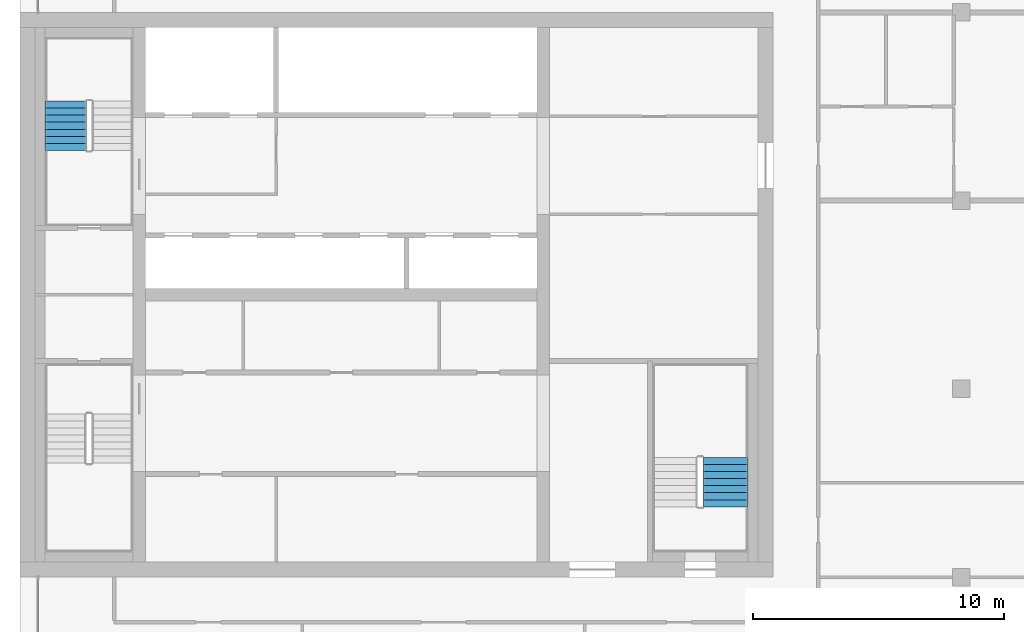
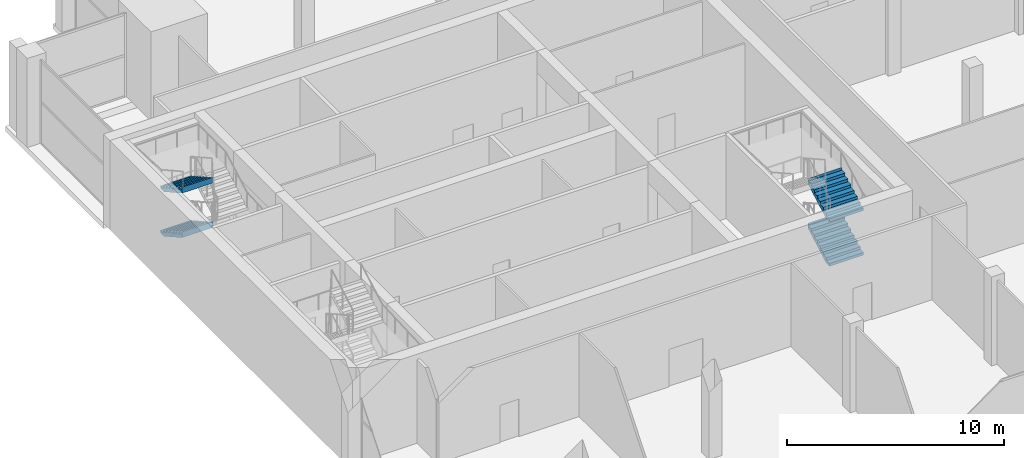
# One storey, part 12 of 15: 4 stair flights, 2 elements without a shape of their own.
"""IFC4 building model written with IfcOpenShell, lengths in metres."""

from ifc_helpers import new_model, si_unit, direction, frame, origin, place, context, subcontext, project, spatial, polyline, outline, extrude, material, type_object, element, aggregate, save


model = new_model("IFC4")

# Units and contexts
model_context = context("Model", 3, precision=1e-05, world=origin(), true_north=direction((0.0, 1.0)))
body_context = subcontext(model_context, "Body", "Model", "MODEL_VIEW")
ifc_project = project(units=[si_unit("LENGTHUNIT", "METRE"), si_unit("AREAUNIT", "SQUARE_METRE"), si_unit("VOLUMEUNIT", "CUBIC_METRE"), si_unit("PLANEANGLEUNIT", "RADIAN"), si_unit("MASSUNIT", "GRAM", prefix="KILO")], contexts=[model_context])

# Site, building, storey
site_placement = place(None, origin())
site = spatial("IfcSite", under=ifc_project, at=site_placement, CompositionType="ELEMENT")
building_placement = place(site_placement, origin())
building = spatial("IfcBuilding", under=site, at=building_placement, Name="Tamorin Gate", CompositionType="ELEMENT")
storey_placement = place(building_placement, frame((0.0, 0.0, 297.699951171875)))
storey = spatial("IfcBuildingStorey", under=building, at=storey_placement, Name="L74", CompositionType="ELEMENT", Elevation=297.699951171875)

# Stair, stair flights
ifc_material = material(Name="Concrete C40/50", Category="concrete")
stair_type = type_object("IfcStairType", Name="Exit stair", PredefinedType="HALF_TURN_STAIR", material=ifc_material)
stair_1_placement = place(storey_placement, origin())
stair_1 = element("IfcStair", 1, at=stair_1_placement, inside=storey, type_object=stair_type, Name="L74 stair ST2", PredefinedType="HALF_TURN_STAIR")
stair_flight_type = type_object("IfcStairFlightType", Name="Exit stair flight", PredefinedType="STRAIGHT", material=ifc_material)
stair_flight_1_placement = place(storey_placement, frame((31.824951171875, 78.9599609375, 1.25), z_axis=(0.0, 0.0, 1.0), x_axis=(0.0, -1.0, 0.0)))
stair_flight_1 = element("IfcStairFlight", 2, at=stair_flight_1_placement, type_object=stair_flight_type, Name="ST2 flight 2", NumberOfRisers=8, NumberOfTreads=7, PredefinedType="STRAIGHT", RiserHeight=0.15625, TreadLength=0.28, context=body_context, shape_type="SweptSolid", body=[
    extrude(outline(polyline([(-0.00048828125, 0.0), (-0.00048828125, 0.00146484375), (-0.00048828125, 0.003173828125), (-0.00048828125, 0.004638671875), (-0.00048828125, 0.006103515625), (-0.00048828125, 0.0078125), (-0.00048828125, 0.00927734375), (-0.00048828125, 0.0107421875), (-0.00048828125, 0.012451171875), (-0.00048828125, 0.013916015625), (-0.00048828125, 0.015380859375), (-0.00048828125, 0.01708984375), (-0.00048828125, 0.0185546875), (-0.00048828125, 0.02001953125), (-0.00048828125, 0.021728515625), (-0.00048828125, 0.023193359375), (-0.00048828125, 0.024658203125), (-0.00048828125, 0.0263671875), (-0.00048828125, 0.02783203125), (-0.00048828125, 0.029296875), (-0.00048828125, 0.031005859375), (-0.00048828125, 0.032470703125), (-0.00048828125, 0.033935546875), (-0.00048828125, 0.03564453125), (-0.00048828125, 0.037109375), (-0.00048828125, 0.03857421875), (-0.00048828125, 0.040283203125), (-0.00048828125, 0.041748046875), (-0.00048828125, 0.043212890625), (-0.00048828125, 0.044921875), (-0.00048828125, 0.04638671875), (-0.00048828125, 0.0478515625), (-0.00048828125, 0.049560546875), (-0.00048828125, 0.051025390625), (-0.00048828125, 0.052490234375), (-0.00048828125, 0.05419921875), (-0.00048828125, 0.0556640625), (-0.00048828125, 0.05712890625), (-0.00048828125, 0.058837890625), (-0.00048828125, 0.060302734375), (-0.00048828125, 0.061767578125), (-0.00048828125, 0.0634765625), (-0.00048828125, 0.06494140625), (-0.00048828125, 0.06640625), (-0.00048828125, 0.068115234375), (-0.00048828125, 0.069580078125), (-0.00048828125, 0.071044921875), (-0.00048828125, 0.07275390625), (-0.00048828125, 0.07421875), (-0.00048828125, 0.07568359375), (-0.00048828125, 0.077392578125), (-0.00048828125, 0.078857421875), (-0.00048828125, 0.08056640625), (-0.00048828125, 0.08203125), (-0.00048828125, 0.08349609375), (-0.00048828125, 0.085205078125), (-0.00048828125, 0.086669921875), (-0.00048828125, 0.088134765625), (-0.00048828125, 0.08984375), (-0.00048828125, 0.09130859375), (-0.00048828125, 0.0927734375), (-0.00048828125, 0.094482421875), (-0.00048828125, 0.095947265625), (-0.00048828125, 0.097412109375), (-0.00048828125, 0.09912109375), (-0.00048828125, 0.1005859375), (-0.00048828125, 0.10205078125), (-0.00048828125, 0.103759765625), (-0.00048828125, 0.105224609375), (-0.00048828125, 0.106689453125), (-0.00048828125, 0.1083984375), (-0.00048828125, 0.10986328125), (-0.00048828125, 0.111328125), (-0.00048828125, 0.113037109375), (-0.00048828125, 0.114501953125), (-0.00048828125, 0.115966796875), (-0.00048828125, 0.11767578125), (-0.00048828125, 0.119140625), (-0.00048828125, 0.12060546875), (-0.00048828125, 0.122314453125), (-0.00048828125, 0.123779296875), (-0.00048828125, 0.125244140625), (-0.00048828125, 0.126953125), (-0.00048828125, 0.12841796875), (-0.00048828125, 0.1298828125), (-0.00048828125, 0.131591796875), (-0.00048828125, 0.133056640625), (-0.00048828125, 0.134521484375), (-0.00048828125, 0.13623046875), (-0.00048828125, 0.1376953125), (-0.00048828125, 0.13916015625), (-0.00048828125, 0.140869140625), (-0.00048828125, 0.142333984375), (-0.00048828125, 0.143798828125), (-0.00048828125, 0.1455078125), (-0.00048828125, 0.14697265625), (-0.00048828125, 0.1484375), (-0.00048828125, 0.150146484375), (-0.00048828125, 0.151611328125), (-0.00048828125, 0.153076171875), (-0.00048828125, 0.15478515625), (-0.00048828125, 0.15625), (0.280029296875, 0.15625), (0.280029296875, 0.3125), (0.56005859375, 0.3125), (0.56005859375, 0.46875), (0.840087890625, 0.46875), (0.840087890625, 0.625), (1.1201171875, 0.625), (1.1201171875, 0.78125), (1.39990234375, 0.78125), (1.39990234375, 0.9375), (1.679931640625, 0.9375), (1.679931640625, 1.09375), (1.9599609375, 1.09375), (1.9599609375, 1.25), (1.96044921875, 1.25), (1.96044921875, 1.246826171875), (1.96044921875, 1.243408203125), (1.96044921875, 1.240234375), (1.96044921875, 1.237060546875), (1.96044921875, 1.23388671875), (1.96044921875, 1.23046875), (1.96044921875, 1.227294921875), (1.96044921875, 1.22412109375), (1.96044921875, 1.220703125), (1.96044921875, 1.217529296875), (1.96044921875, 1.21435546875), (1.96044921875, 1.2109375), (1.96044921875, 1.207763671875), (1.96044921875, 1.20458984375), (1.96044921875, 1.201416015625), (1.96044921875, 1.197998046875), (1.96044921875, 1.19482421875), (1.96044921875, 1.191650390625), (1.96044921875, 1.188232421875), (1.96044921875, 1.18505859375), (1.96044921875, 1.181884765625), (1.96044921875, 1.178466796875), (1.96044921875, 1.17529296875), (1.96044921875, 1.172119140625), (1.96044921875, 1.1689453125), (1.96044921875, 1.16552734375), (1.96044921875, 1.162353515625), (1.96044921875, 1.1591796875), (1.96044921875, 1.15576171875), (1.96044921875, 1.152587890625), (1.96044921875, 1.1494140625), (1.96044921875, 1.14599609375), (1.96044921875, 1.142822265625), (1.96044921875, 1.1396484375), (1.96044921875, 1.136474609375), (1.96044921875, 1.133056640625), (1.96044921875, 1.1298828125), (1.96044921875, 1.126708984375), (1.96044921875, 1.123291015625), (1.96044921875, 1.1201171875), (1.96044921875, 1.116943359375), (1.96044921875, 1.113525390625), (1.96044921875, 1.1103515625), (1.96044921875, 1.107177734375), (1.96044921875, 1.10400390625), (1.96044921875, 1.1005859375), (1.96044921875, 1.097412109375), (1.96044921875, 1.09423828125), (1.96044921875, 1.0908203125), (1.96044921875, 1.087646484375), (1.96044921875, 1.08447265625), (1.96044921875, 1.0810546875), (1.96044921875, 1.077880859375), (1.96044921875, 1.07470703125), (1.96044921875, 1.071533203125), (1.96044921875, 1.068115234375), (1.96044921875, 1.06494140625), (1.96044921875, 1.061767578125), (1.96044921875, 1.058349609375), (1.96044921875, 1.05517578125), (1.96044921875, 1.052001953125), (1.96044921875, 1.048828125), (1.96044921875, 1.04541015625), (1.96044921875, 1.042236328125), (1.96044921875, 1.0390625), (1.96044921875, 1.03564453125), (1.96044921875, 1.032470703125), (1.96044921875, 1.029296875), (1.96044921875, 1.02587890625), (1.96044921875, 1.022705078125), (1.96044921875, 1.01953125), (1.96044921875, 1.016357421875), (1.96044921875, 1.012939453125), (1.96044921875, 1.009765625), (1.96044921875, 1.006591796875), (1.96044921875, 1.003173828125), (1.96044921875, 1.0), (1.96044921875, 0.996826171875), (1.96044921875, 0.993408203125), (1.96044921875, 0.990234375), (1.96044921875, 0.987060546875), (1.96044921875, 0.98388671875), (1.96044921875, 0.98046875), (1.96044921875, 0.977294921875), (1.96044921875, 0.97412109375), (1.96044921875, 0.970703125), (1.96044921875, 0.967529296875), (1.96044921875, 0.96435546875), (1.96044921875, 0.9609375), (1.96044921875, 0.957763671875), (1.96044921875, 0.95458984375), (1.96044921875, 0.951416015625), (1.96044921875, 0.947998046875), (1.96044921875, 0.94482421875), (1.96044921875, 0.941650390625), (1.96044921875, 0.938232421875), (1.96044921875, 0.93505859375), (1.96044921875, 0.931884765625), (1.96044921875, 0.928466796875), (1.96044921875, 0.92529296875), (1.96044921875, 0.922119140625), (1.9599609375, 0.922119140625), (0.3076171875, 0.0), (-0.00048828125, 0.0)])), frame((0.0, 0.824951171875, 0.0), z_axis=(0.0, -1.0, 0.0), x_axis=(1.0, 0.0, 0.0)), (0.0, 0.0, 1.0), 1.64990234375),
])
stair_flight_2_placement = place(storey_placement, frame((31.824951171875, 78.9599609375, 3.75), z_axis=(0.0, 0.0, 1.0), x_axis=(0.0, -1.0, 0.0)))
stair_flight_2 = element("IfcStairFlight", 3, at=stair_flight_2_placement, type_object=stair_flight_type, Name="ST2 flight 4", NumberOfRisers=8, NumberOfTreads=7, PredefinedType="STRAIGHT", RiserHeight=0.15625, TreadLength=0.28, context=body_context, shape_type="SweptSolid", body=[
    extrude(outline(polyline([(-0.00048828125, 0.0), (-0.00048828125, 0.00146484375), (-0.00048828125, 0.003173828125), (-0.00048828125, 0.004638671875), (-0.00048828125, 0.006103515625), (-0.00048828125, 0.0078125), (-0.00048828125, 0.00927734375), (-0.00048828125, 0.0107421875), (-0.00048828125, 0.012451171875), (-0.00048828125, 0.013916015625), (-0.00048828125, 0.015380859375), (-0.00048828125, 0.01708984375), (-0.00048828125, 0.0185546875), (-0.00048828125, 0.02001953125), (-0.00048828125, 0.021728515625), (-0.00048828125, 0.023193359375), (-0.00048828125, 0.024658203125), (-0.00048828125, 0.0263671875), (-0.00048828125, 0.02783203125), (-0.00048828125, 0.029296875), (-0.00048828125, 0.031005859375), (-0.00048828125, 0.032470703125), (-0.00048828125, 0.033935546875), (-0.00048828125, 0.03564453125), (-0.00048828125, 0.037109375), (-0.00048828125, 0.03857421875), (-0.00048828125, 0.040283203125), (-0.00048828125, 0.041748046875), (-0.00048828125, 0.043212890625), (-0.00048828125, 0.044921875), (-0.00048828125, 0.04638671875), (-0.00048828125, 0.0478515625), (-0.00048828125, 0.049560546875), (-0.00048828125, 0.051025390625), (-0.00048828125, 0.052490234375), (-0.00048828125, 0.05419921875), (-0.00048828125, 0.0556640625), (-0.00048828125, 0.05712890625), (-0.00048828125, 0.058837890625), (-0.00048828125, 0.060302734375), (-0.00048828125, 0.061767578125), (-0.00048828125, 0.0634765625), (-0.00048828125, 0.06494140625), (-0.00048828125, 0.06640625), (-0.00048828125, 0.068115234375), (-0.00048828125, 0.069580078125), (-0.00048828125, 0.071044921875), (-0.00048828125, 0.07275390625), (-0.00048828125, 0.07421875), (-0.00048828125, 0.07568359375), (-0.00048828125, 0.077392578125), (-0.00048828125, 0.078857421875), (-0.00048828125, 0.08056640625), (-0.00048828125, 0.08203125), (-0.00048828125, 0.08349609375), (-0.00048828125, 0.085205078125), (-0.00048828125, 0.086669921875), (-0.00048828125, 0.088134765625), (-0.00048828125, 0.08984375), (-0.00048828125, 0.09130859375), (-0.00048828125, 0.0927734375), (-0.00048828125, 0.094482421875), (-0.00048828125, 0.095947265625), (-0.00048828125, 0.097412109375), (-0.00048828125, 0.09912109375), (-0.00048828125, 0.1005859375), (-0.00048828125, 0.10205078125), (-0.00048828125, 0.103759765625), (-0.00048828125, 0.105224609375), (-0.00048828125, 0.106689453125), (-0.00048828125, 0.1083984375), (-0.00048828125, 0.10986328125), (-0.00048828125, 0.111328125), (-0.00048828125, 0.113037109375), (-0.00048828125, 0.114501953125), (-0.00048828125, 0.115966796875), (-0.00048828125, 0.11767578125), (-0.00048828125, 0.119140625), (-0.00048828125, 0.12060546875), (-0.00048828125, 0.122314453125), (-0.00048828125, 0.123779296875), (-0.00048828125, 0.125244140625), (-0.00048828125, 0.126953125), (-0.00048828125, 0.12841796875), (-0.00048828125, 0.1298828125), (-0.00048828125, 0.131591796875), (-0.00048828125, 0.133056640625), (-0.00048828125, 0.134521484375), (-0.00048828125, 0.13623046875), (-0.00048828125, 0.1376953125), (-0.00048828125, 0.13916015625), (-0.00048828125, 0.140869140625), (-0.00048828125, 0.142333984375), (-0.00048828125, 0.143798828125), (-0.00048828125, 0.1455078125), (-0.00048828125, 0.14697265625), (-0.00048828125, 0.1484375), (-0.00048828125, 0.150146484375), (-0.00048828125, 0.151611328125), (-0.00048828125, 0.153076171875), (-0.00048828125, 0.15478515625), (-0.00048828125, 0.15625), (0.280029296875, 0.15625), (0.280029296875, 0.3125), (0.56005859375, 0.3125), (0.56005859375, 0.46875), (0.840087890625, 0.46875), (0.840087890625, 0.625), (1.1201171875, 0.625), (1.1201171875, 0.78125), (1.39990234375, 0.78125), (1.39990234375, 0.9375), (1.679931640625, 0.9375), (1.679931640625, 1.09375), (1.9599609375, 1.09375), (1.9599609375, 1.25), (1.96044921875, 1.25), (1.96044921875, 1.246826171875), (1.96044921875, 1.243408203125), (1.96044921875, 1.240234375), (1.96044921875, 1.237060546875), (1.96044921875, 1.23388671875), (1.96044921875, 1.23046875), (1.96044921875, 1.227294921875), (1.96044921875, 1.22412109375), (1.96044921875, 1.220703125), (1.96044921875, 1.217529296875), (1.96044921875, 1.21435546875), (1.96044921875, 1.2109375), (1.96044921875, 1.207763671875), (1.96044921875, 1.20458984375), (1.96044921875, 1.201416015625), (1.96044921875, 1.197998046875), (1.96044921875, 1.19482421875), (1.96044921875, 1.191650390625), (1.96044921875, 1.188232421875), (1.96044921875, 1.18505859375), (1.96044921875, 1.181884765625), (1.96044921875, 1.178466796875), (1.96044921875, 1.17529296875), (1.96044921875, 1.172119140625), (1.96044921875, 1.1689453125), (1.96044921875, 1.16552734375), (1.96044921875, 1.162353515625), (1.96044921875, 1.1591796875), (1.96044921875, 1.15576171875), (1.96044921875, 1.152587890625), (1.96044921875, 1.1494140625), (1.96044921875, 1.14599609375), (1.96044921875, 1.142822265625), (1.96044921875, 1.1396484375), (1.96044921875, 1.136474609375), (1.96044921875, 1.133056640625), (1.96044921875, 1.1298828125), (1.96044921875, 1.126708984375), (1.96044921875, 1.123291015625), (1.96044921875, 1.1201171875), (1.96044921875, 1.116943359375), (1.96044921875, 1.113525390625), (1.96044921875, 1.1103515625), (1.96044921875, 1.107177734375), (1.96044921875, 1.10400390625), (1.96044921875, 1.1005859375), (1.96044921875, 1.097412109375), (1.96044921875, 1.09423828125), (1.96044921875, 1.0908203125), (1.96044921875, 1.087646484375), (1.96044921875, 1.08447265625), (1.96044921875, 1.0810546875), (1.96044921875, 1.077880859375), (1.96044921875, 1.07470703125), (1.96044921875, 1.071533203125), (1.96044921875, 1.068115234375), (1.96044921875, 1.06494140625), (1.96044921875, 1.061767578125), (1.96044921875, 1.058349609375), (1.96044921875, 1.05517578125), (1.96044921875, 1.052001953125), (1.96044921875, 1.048828125), (1.96044921875, 1.04541015625), (1.96044921875, 1.042236328125), (1.96044921875, 1.0390625), (1.96044921875, 1.03564453125), (1.96044921875, 1.032470703125), (1.96044921875, 1.029296875), (1.96044921875, 1.02587890625), (1.96044921875, 1.022705078125), (1.96044921875, 1.01953125), (1.96044921875, 1.016357421875), (1.96044921875, 1.012939453125), (1.96044921875, 1.009765625), (1.96044921875, 1.006591796875), (1.96044921875, 1.003173828125), (1.96044921875, 1.0), (1.96044921875, 0.996826171875), (1.96044921875, 0.993408203125), (1.96044921875, 0.990234375), (1.96044921875, 0.987060546875), (1.96044921875, 0.98388671875), (1.96044921875, 0.98046875), (1.96044921875, 0.977294921875), (1.96044921875, 0.97412109375), (1.96044921875, 0.970703125), (1.96044921875, 0.967529296875), (1.96044921875, 0.96435546875), (1.96044921875, 0.9609375), (1.96044921875, 0.957763671875), (1.96044921875, 0.95458984375), (1.96044921875, 0.951416015625), (1.96044921875, 0.947998046875), (1.96044921875, 0.94482421875), (1.96044921875, 0.941650390625), (1.96044921875, 0.938232421875), (1.96044921875, 0.93505859375), (1.96044921875, 0.931884765625), (1.96044921875, 0.928466796875), (1.96044921875, 0.92529296875), (1.96044921875, 0.922119140625), (1.9599609375, 0.922119140625), (0.3076171875, 0.0), (-0.00048828125, 0.0)])), frame((0.0, 0.824951171875, 0.0), z_axis=(0.0, -1.0, 0.0), x_axis=(1.0, 0.0, 0.0)), (0.0, 0.0, 1.0), 1.64990234375),
])
aggregate(stair_1, [stair_flight_1, stair_flight_2])

stair_2_placement = place(storey_placement, origin())
stair_2 = element("IfcStair", 4, at=stair_2_placement, inside=storey, type_object=stair_type, Name="L74 stair ST3", PredefinedType="HALF_TURN_STAIR")
stair_flight_3_placement = place(storey_placement, frame((58.10009765625, 62.800048828125, 0.0), z_axis=(0.0, 0.0, 1.0), x_axis=(0.0, 1.0, 0.0)))
stair_flight_3 = element("IfcStairFlight", 5, at=stair_flight_3_placement, type_object=stair_flight_type, Name="ST3 flight 1", NumberOfRisers=8, NumberOfTreads=7, PredefinedType="STRAIGHT", RiserHeight=0.15625, TreadLength=0.28, context=body_context, shape_type="SweptSolid", body=[
    extrude(outline(polyline([(-0.00048828125, 0.0), (-0.00048828125, 0.00146484375), (-0.00048828125, 0.003173828125), (-0.00048828125, 0.004638671875), (-0.00048828125, 0.006103515625), (-0.00048828125, 0.0078125), (-0.00048828125, 0.00927734375), (-0.00048828125, 0.0107421875), (-0.00048828125, 0.012451171875), (-0.00048828125, 0.013916015625), (-0.00048828125, 0.015380859375), (-0.00048828125, 0.01708984375), (-0.00048828125, 0.0185546875), (-0.00048828125, 0.02001953125), (-0.00048828125, 0.021728515625), (-0.00048828125, 0.023193359375), (-0.00048828125, 0.024658203125), (-0.00048828125, 0.0263671875), (-0.00048828125, 0.02783203125), (-0.00048828125, 0.029296875), (-0.00048828125, 0.031005859375), (-0.00048828125, 0.032470703125), (-0.00048828125, 0.033935546875), (-0.00048828125, 0.03564453125), (-0.00048828125, 0.037109375), (-0.00048828125, 0.03857421875), (-0.00048828125, 0.040283203125), (-0.00048828125, 0.041748046875), (-0.00048828125, 0.043212890625), (-0.00048828125, 0.044921875), (-0.00048828125, 0.04638671875), (-0.00048828125, 0.0478515625), (-0.00048828125, 0.049560546875), (-0.00048828125, 0.051025390625), (-0.00048828125, 0.052490234375), (-0.00048828125, 0.05419921875), (-0.00048828125, 0.0556640625), (-0.00048828125, 0.05712890625), (-0.00048828125, 0.058837890625), (-0.00048828125, 0.060302734375), (-0.00048828125, 0.061767578125), (-0.00048828125, 0.0634765625), (-0.00048828125, 0.06494140625), (-0.00048828125, 0.06640625), (-0.00048828125, 0.068115234375), (-0.00048828125, 0.069580078125), (-0.00048828125, 0.071044921875), (-0.00048828125, 0.07275390625), (-0.00048828125, 0.07421875), (-0.00048828125, 0.07568359375), (-0.00048828125, 0.077392578125), (-0.00048828125, 0.078857421875), (-0.00048828125, 0.08056640625), (-0.00048828125, 0.08203125), (-0.00048828125, 0.08349609375), (-0.00048828125, 0.085205078125), (-0.00048828125, 0.086669921875), (-0.00048828125, 0.088134765625), (-0.00048828125, 0.08984375), (-0.00048828125, 0.09130859375), (-0.00048828125, 0.0927734375), (-0.00048828125, 0.094482421875), (-0.00048828125, 0.095947265625), (-0.00048828125, 0.097412109375), (-0.00048828125, 0.09912109375), (-0.00048828125, 0.1005859375), (-0.00048828125, 0.10205078125), (-0.00048828125, 0.103759765625), (-0.00048828125, 0.105224609375), (-0.00048828125, 0.106689453125), (-0.00048828125, 0.1083984375), (-0.00048828125, 0.10986328125), (-0.00048828125, 0.111328125), (-0.00048828125, 0.113037109375), (-0.00048828125, 0.114501953125), (-0.00048828125, 0.115966796875), (-0.00048828125, 0.11767578125), (-0.00048828125, 0.119140625), (-0.00048828125, 0.12060546875), (-0.00048828125, 0.122314453125), (-0.00048828125, 0.123779296875), (-0.00048828125, 0.125244140625), (-0.00048828125, 0.126953125), (-0.00048828125, 0.12841796875), (-0.00048828125, 0.1298828125), (-0.00048828125, 0.131591796875), (-0.00048828125, 0.133056640625), (-0.00048828125, 0.134521484375), (-0.00048828125, 0.13623046875), (-0.00048828125, 0.1376953125), (-0.00048828125, 0.13916015625), (-0.00048828125, 0.140869140625), (-0.00048828125, 0.142333984375), (-0.00048828125, 0.143798828125), (-0.00048828125, 0.1455078125), (-0.00048828125, 0.14697265625), (-0.00048828125, 0.1484375), (-0.00048828125, 0.150146484375), (-0.00048828125, 0.151611328125), (-0.00048828125, 0.153076171875), (-0.00048828125, 0.15478515625), (-0.00048828125, 0.15625), (0.280029296875, 0.15625), (0.280029296875, 0.3125), (0.56005859375, 0.3125), (0.56005859375, 0.46875), (0.840087890625, 0.46875), (0.840087890625, 0.625), (1.1201171875, 0.625), (1.1201171875, 0.78125), (1.39990234375, 0.78125), (1.39990234375, 0.9375), (1.679931640625, 0.9375), (1.679931640625, 1.09375), (1.9599609375, 1.09375), (1.9599609375, 1.25), (1.96044921875, 1.25), (1.96044921875, 1.246826171875), (1.96044921875, 1.243408203125), (1.96044921875, 1.240234375), (1.96044921875, 1.237060546875), (1.96044921875, 1.23388671875), (1.96044921875, 1.23046875), (1.96044921875, 1.227294921875), (1.96044921875, 1.22412109375), (1.96044921875, 1.220703125), (1.96044921875, 1.217529296875), (1.96044921875, 1.21435546875), (1.96044921875, 1.2109375), (1.96044921875, 1.207763671875), (1.96044921875, 1.20458984375), (1.96044921875, 1.201416015625), (1.96044921875, 1.197998046875), (1.96044921875, 1.19482421875), (1.96044921875, 1.191650390625), (1.96044921875, 1.188232421875), (1.96044921875, 1.18505859375), (1.96044921875, 1.181884765625), (1.96044921875, 1.178466796875), (1.96044921875, 1.17529296875), (1.96044921875, 1.172119140625), (1.96044921875, 1.1689453125), (1.96044921875, 1.16552734375), (1.96044921875, 1.162353515625), (1.96044921875, 1.1591796875), (1.96044921875, 1.15576171875), (1.96044921875, 1.152587890625), (1.96044921875, 1.1494140625), (1.96044921875, 1.14599609375), (1.96044921875, 1.142822265625), (1.96044921875, 1.1396484375), (1.96044921875, 1.136474609375), (1.96044921875, 1.133056640625), (1.96044921875, 1.1298828125), (1.96044921875, 1.126708984375), (1.96044921875, 1.123291015625), (1.96044921875, 1.1201171875), (1.96044921875, 1.116943359375), (1.96044921875, 1.113525390625), (1.96044921875, 1.1103515625), (1.96044921875, 1.107177734375), (1.96044921875, 1.10400390625), (1.96044921875, 1.1005859375), (1.96044921875, 1.097412109375), (1.96044921875, 1.09423828125), (1.96044921875, 1.0908203125), (1.96044921875, 1.087646484375), (1.96044921875, 1.08447265625), (1.96044921875, 1.0810546875), (1.96044921875, 1.077880859375), (1.96044921875, 1.07470703125), (1.96044921875, 1.071533203125), (1.96044921875, 1.068115234375), (1.96044921875, 1.06494140625), (1.96044921875, 1.061767578125), (1.96044921875, 1.058349609375), (1.96044921875, 1.05517578125), (1.96044921875, 1.052001953125), (1.96044921875, 1.048828125), (1.96044921875, 1.04541015625), (1.96044921875, 1.042236328125), (1.96044921875, 1.0390625), (1.96044921875, 1.03564453125), (1.96044921875, 1.032470703125), (1.96044921875, 1.029296875), (1.96044921875, 1.02587890625), (1.96044921875, 1.022705078125), (1.96044921875, 1.01953125), (1.96044921875, 1.016357421875), (1.96044921875, 1.012939453125), (1.96044921875, 1.009765625), (1.96044921875, 1.006591796875), (1.96044921875, 1.003173828125), (1.96044921875, 1.0), (1.96044921875, 0.996826171875), (1.96044921875, 0.993408203125), (1.96044921875, 0.990234375), (1.96044921875, 0.987060546875), (1.96044921875, 0.98388671875), (1.96044921875, 0.98046875), (1.96044921875, 0.977294921875), (1.96044921875, 0.97412109375), (1.96044921875, 0.970703125), (1.96044921875, 0.967529296875), (1.96044921875, 0.96435546875), (1.96044921875, 0.9609375), (1.96044921875, 0.957763671875), (1.96044921875, 0.95458984375), (1.96044921875, 0.951416015625), (1.96044921875, 0.947998046875), (1.96044921875, 0.94482421875), (1.96044921875, 0.941650390625), (1.96044921875, 0.938232421875), (1.96044921875, 0.93505859375), (1.96044921875, 0.931884765625), (1.96044921875, 0.928466796875), (1.96044921875, 0.92529296875), (1.96044921875, 0.922119140625), (1.9599609375, 0.922119140625), (0.3076171875, 0.0), (-0.00048828125, 0.0)])), frame((0.0, 0.89990234375, 0.0), z_axis=(0.0, -1.0, 0.0), x_axis=(1.0, 0.0, 0.0)), (0.0, 0.0, 1.0), 1.800048828125),
])
stair_flight_4_placement = place(storey_placement, frame((58.10009765625, 62.800048828125, 2.5), z_axis=(0.0, 0.0, 1.0), x_axis=(0.0, 1.0, 0.0)))
stair_flight_4 = element("IfcStairFlight", 6, at=stair_flight_4_placement, type_object=stair_flight_type, Name="ST3 flight 3", NumberOfRisers=8, NumberOfTreads=7, PredefinedType="STRAIGHT", RiserHeight=0.15625, TreadLength=0.28, context=body_context, shape_type="SweptSolid", body=[
    extrude(outline(polyline([(-0.00048828125, 0.0), (-0.00048828125, 0.00146484375), (-0.00048828125, 0.003173828125), (-0.00048828125, 0.004638671875), (-0.00048828125, 0.006103515625), (-0.00048828125, 0.0078125), (-0.00048828125, 0.00927734375), (-0.00048828125, 0.0107421875), (-0.00048828125, 0.012451171875), (-0.00048828125, 0.013916015625), (-0.00048828125, 0.015380859375), (-0.00048828125, 0.01708984375), (-0.00048828125, 0.0185546875), (-0.00048828125, 0.02001953125), (-0.00048828125, 0.021728515625), (-0.00048828125, 0.023193359375), (-0.00048828125, 0.024658203125), (-0.00048828125, 0.0263671875), (-0.00048828125, 0.02783203125), (-0.00048828125, 0.029296875), (-0.00048828125, 0.031005859375), (-0.00048828125, 0.032470703125), (-0.00048828125, 0.033935546875), (-0.00048828125, 0.03564453125), (-0.00048828125, 0.037109375), (-0.00048828125, 0.03857421875), (-0.00048828125, 0.040283203125), (-0.00048828125, 0.041748046875), (-0.00048828125, 0.043212890625), (-0.00048828125, 0.044921875), (-0.00048828125, 0.04638671875), (-0.00048828125, 0.0478515625), (-0.00048828125, 0.049560546875), (-0.00048828125, 0.051025390625), (-0.00048828125, 0.052490234375), (-0.00048828125, 0.05419921875), (-0.00048828125, 0.0556640625), (-0.00048828125, 0.05712890625), (-0.00048828125, 0.058837890625), (-0.00048828125, 0.060302734375), (-0.00048828125, 0.061767578125), (-0.00048828125, 0.0634765625), (-0.00048828125, 0.06494140625), (-0.00048828125, 0.06640625), (-0.00048828125, 0.068115234375), (-0.00048828125, 0.069580078125), (-0.00048828125, 0.071044921875), (-0.00048828125, 0.07275390625), (-0.00048828125, 0.07421875), (-0.00048828125, 0.07568359375), (-0.00048828125, 0.077392578125), (-0.00048828125, 0.078857421875), (-0.00048828125, 0.08056640625), (-0.00048828125, 0.08203125), (-0.00048828125, 0.08349609375), (-0.00048828125, 0.085205078125), (-0.00048828125, 0.086669921875), (-0.00048828125, 0.088134765625), (-0.00048828125, 0.08984375), (-0.00048828125, 0.09130859375), (-0.00048828125, 0.0927734375), (-0.00048828125, 0.094482421875), (-0.00048828125, 0.095947265625), (-0.00048828125, 0.097412109375), (-0.00048828125, 0.09912109375), (-0.00048828125, 0.1005859375), (-0.00048828125, 0.10205078125), (-0.00048828125, 0.103759765625), (-0.00048828125, 0.105224609375), (-0.00048828125, 0.106689453125), (-0.00048828125, 0.1083984375), (-0.00048828125, 0.10986328125), (-0.00048828125, 0.111328125), (-0.00048828125, 0.113037109375), (-0.00048828125, 0.114501953125), (-0.00048828125, 0.115966796875), (-0.00048828125, 0.11767578125), (-0.00048828125, 0.119140625), (-0.00048828125, 0.12060546875), (-0.00048828125, 0.122314453125), (-0.00048828125, 0.123779296875), (-0.00048828125, 0.125244140625), (-0.00048828125, 0.126953125), (-0.00048828125, 0.12841796875), (-0.00048828125, 0.1298828125), (-0.00048828125, 0.131591796875), (-0.00048828125, 0.133056640625), (-0.00048828125, 0.134521484375), (-0.00048828125, 0.13623046875), (-0.00048828125, 0.1376953125), (-0.00048828125, 0.13916015625), (-0.00048828125, 0.140869140625), (-0.00048828125, 0.142333984375), (-0.00048828125, 0.143798828125), (-0.00048828125, 0.1455078125), (-0.00048828125, 0.14697265625), (-0.00048828125, 0.1484375), (-0.00048828125, 0.150146484375), (-0.00048828125, 0.151611328125), (-0.00048828125, 0.153076171875), (-0.00048828125, 0.15478515625), (-0.00048828125, 0.15625), (0.280029296875, 0.15625), (0.280029296875, 0.3125), (0.56005859375, 0.3125), (0.56005859375, 0.46875), (0.840087890625, 0.46875), (0.840087890625, 0.625), (1.1201171875, 0.625), (1.1201171875, 0.78125), (1.39990234375, 0.78125), (1.39990234375, 0.9375), (1.679931640625, 0.9375), (1.679931640625, 1.09375), (1.9599609375, 1.09375), (1.9599609375, 1.25), (1.96044921875, 1.25), (1.96044921875, 1.246826171875), (1.96044921875, 1.243408203125), (1.96044921875, 1.240234375), (1.96044921875, 1.237060546875), (1.96044921875, 1.23388671875), (1.96044921875, 1.23046875), (1.96044921875, 1.227294921875), (1.96044921875, 1.22412109375), (1.96044921875, 1.220703125), (1.96044921875, 1.217529296875), (1.96044921875, 1.21435546875), (1.96044921875, 1.2109375), (1.96044921875, 1.207763671875), (1.96044921875, 1.20458984375), (1.96044921875, 1.201416015625), (1.96044921875, 1.197998046875), (1.96044921875, 1.19482421875), (1.96044921875, 1.191650390625), (1.96044921875, 1.188232421875), (1.96044921875, 1.18505859375), (1.96044921875, 1.181884765625), (1.96044921875, 1.178466796875), (1.96044921875, 1.17529296875), (1.96044921875, 1.172119140625), (1.96044921875, 1.1689453125), (1.96044921875, 1.16552734375), (1.96044921875, 1.162353515625), (1.96044921875, 1.1591796875), (1.96044921875, 1.15576171875), (1.96044921875, 1.152587890625), (1.96044921875, 1.1494140625), (1.96044921875, 1.14599609375), (1.96044921875, 1.142822265625), (1.96044921875, 1.1396484375), (1.96044921875, 1.136474609375), (1.96044921875, 1.133056640625), (1.96044921875, 1.1298828125), (1.96044921875, 1.126708984375), (1.96044921875, 1.123291015625), (1.96044921875, 1.1201171875), (1.96044921875, 1.116943359375), (1.96044921875, 1.113525390625), (1.96044921875, 1.1103515625), (1.96044921875, 1.107177734375), (1.96044921875, 1.10400390625), (1.96044921875, 1.1005859375), (1.96044921875, 1.097412109375), (1.96044921875, 1.09423828125), (1.96044921875, 1.0908203125), (1.96044921875, 1.087646484375), (1.96044921875, 1.08447265625), (1.96044921875, 1.0810546875), (1.96044921875, 1.077880859375), (1.96044921875, 1.07470703125), (1.96044921875, 1.071533203125), (1.96044921875, 1.068115234375), (1.96044921875, 1.06494140625), (1.96044921875, 1.061767578125), (1.96044921875, 1.058349609375), (1.96044921875, 1.05517578125), (1.96044921875, 1.052001953125), (1.96044921875, 1.048828125), (1.96044921875, 1.04541015625), (1.96044921875, 1.042236328125), (1.96044921875, 1.0390625), (1.96044921875, 1.03564453125), (1.96044921875, 1.032470703125), (1.96044921875, 1.029296875), (1.96044921875, 1.02587890625), (1.96044921875, 1.022705078125), (1.96044921875, 1.01953125), (1.96044921875, 1.016357421875), (1.96044921875, 1.012939453125), (1.96044921875, 1.009765625), (1.96044921875, 1.006591796875), (1.96044921875, 1.003173828125), (1.96044921875, 1.0), (1.96044921875, 0.996826171875), (1.96044921875, 0.993408203125), (1.96044921875, 0.990234375), (1.96044921875, 0.987060546875), (1.96044921875, 0.98388671875), (1.96044921875, 0.98046875), (1.96044921875, 0.977294921875), (1.96044921875, 0.97412109375), (1.96044921875, 0.970703125), (1.96044921875, 0.967529296875), (1.96044921875, 0.96435546875), (1.96044921875, 0.9609375), (1.96044921875, 0.957763671875), (1.96044921875, 0.95458984375), (1.96044921875, 0.951416015625), (1.96044921875, 0.947998046875), (1.96044921875, 0.94482421875), (1.96044921875, 0.941650390625), (1.96044921875, 0.938232421875), (1.96044921875, 0.93505859375), (1.96044921875, 0.931884765625), (1.96044921875, 0.928466796875), (1.96044921875, 0.92529296875), (1.96044921875, 0.922119140625), (1.9599609375, 0.922119140625), (0.3076171875, 0.0), (-0.00048828125, 0.0)])), frame((0.0, 0.89990234375, 0.0), z_axis=(0.0, -1.0, 0.0), x_axis=(1.0, 0.0, 0.0)), (0.0, 0.0, 1.0), 1.800048828125),
])
aggregate(stair_2, [stair_flight_3, stair_flight_4])

save(model, "model.ifc")
